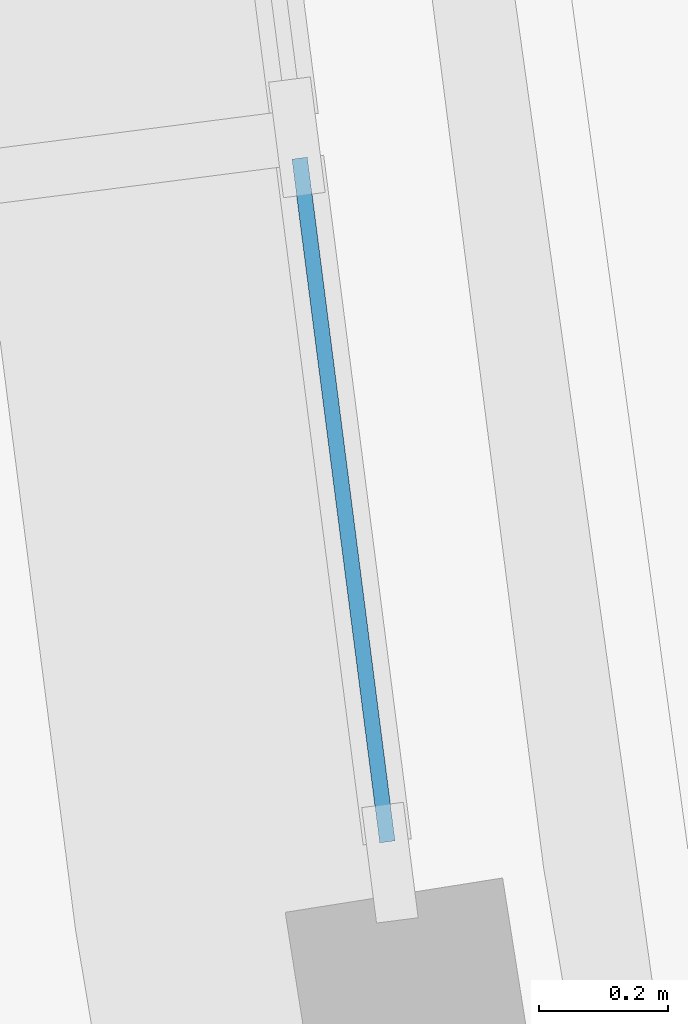
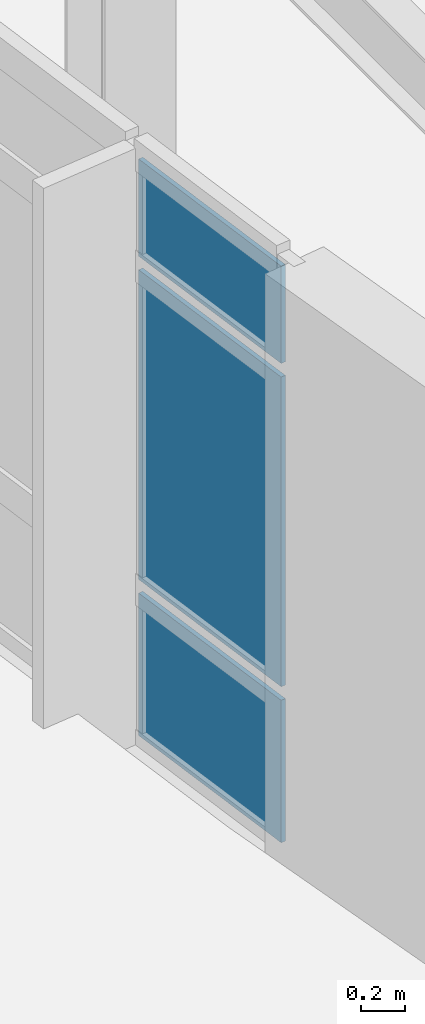
# One storey, part 17 of 30: 3 plates, 1 element without a shape of its own.
"""IFC4 building model written with IfcOpenShell, lengths in metres."""

from ifc_helpers import new_model, si_unit, direction, frame, origin, origin_2d, place, context, subcontext, project, spatial, rectangle, extrude, material, layer, layer_set, type_object, element, aggregate, save


model = new_model("IFC4")

# Units and contexts
model_context = context("Model", 3, precision=1e-05, world=origin(), true_north=direction((0.0, 1.0)))
body_context = subcontext(model_context, "Body", "Model", "MODEL_VIEW")
ifc_project = project(units=[si_unit("LENGTHUNIT", "METRE"), si_unit("AREAUNIT", "SQUARE_METRE"), si_unit("VOLUMEUNIT", "CUBIC_METRE"), si_unit("PLANEANGLEUNIT", "RADIAN"), si_unit("MASSUNIT", "GRAM", prefix="KILO")], contexts=[model_context])

# Site, building, storey
site_placement = place(None, origin())
site = spatial("IfcSite", under=ifc_project, at=site_placement, CompositionType="ELEMENT")
building_placement = place(site_placement, origin())
building = spatial("IfcBuilding", under=site, at=building_placement, Name="Corveleigh Park Community Centre", CompositionType="ELEMENT")
storey_placement = place(building_placement, frame((0.0, 0.0, 12.60009765625)))
storey = spatial("IfcBuildingStorey", under=building, at=storey_placement, Name="L03", CompositionType="ELEMENT", Elevation=12.60009765625)

# Curtain wall, plates
ifc_material_1 = material(Name="Anodised aluminium 6063-T6", Category="aluminium")
curtain_wall_type = type_object("IfcCurtainWallType", Name="CW-SYS-V4-L03", PredefinedType="NOTDEFINED", material=ifc_material_1)
curtain_wall_placement = place(storey_placement, origin())
curtain_wall = element("IfcCurtainWall", 1, at=curtain_wall_placement, inside=storey, type_object=curtain_wall_type, Name="V4 L03 Curtain Wall 434", PredefinedType="NOTDEFINED")
ifc_material_2 = material(Name="Low-E double glazing", Category="glass")
ifc_layer = layer(ifc_material_2, 0.02392578125, Name="Low-E double glazing", Category="glass")
ifc_layer_set = layer_set([ifc_layer], Name="Low-E double glazing")
plate_type = type_object("IfcPlateType", Name="CWP-GLZ-24", PredefinedType="CURTAIN_PANEL", material=ifc_layer_set)
plate_1_placement = place(storey_placement, frame((142.72802734375, 70.4208984375, 0.074951171875), z_axis=(0.0, 0.0, 1.0), x_axis=(-0.127261927639, 0.991869145489, 0.0)))
plate_1 = element("IfcPlate", 2, at=plate_1_placement, type_object=plate_type, Name="CW09 panel 1.1", PredefinedType="CURTAIN_PANEL", context=body_context, shape_type="SweptSolid", body=[
    extrude(rectangle(XDim=1.0654296875, YDim=0.02392578125, at=origin_2d()), origin(), (0.0, 0.0, 1.0), 0.78759765625),
])
plate_2_placement = place(storey_placement, frame((142.72802734375, 70.4208984375, 0.9375), z_axis=(0.0, 0.0, 1.0), x_axis=(-0.127261927639, 0.991869145489, 0.0)))
plate_2 = element("IfcPlate", 3, at=plate_2_placement, type_object=plate_type, Name="CW09 panel 1.2", PredefinedType="CURTAIN_PANEL", context=body_context, shape_type="SweptSolid", body=[
    extrude(rectangle(XDim=1.0654296875, YDim=0.02392578125, at=origin_2d()), origin(), (0.0, 0.0, 1.0), 1.7119140625),
])
plate_3_placement = place(storey_placement, frame((142.72802734375, 70.4208984375, 2.724365234375), z_axis=(0.0, 0.0, 1.0), x_axis=(-0.127261927639, 0.991869145489, 0.0)))
plate_3 = element("IfcPlate", 4, at=plate_3_placement, type_object=plate_type, Name="CW09 panel 1.3", PredefinedType="CURTAIN_PANEL", context=body_context, shape_type="SweptSolid", body=[
    extrude(rectangle(XDim=1.0654296875, YDim=0.02392578125, at=origin_2d()), origin(), (0.0, 0.0, 1.0), 0.53759765625),
])
aggregate(curtain_wall, [plate_1, plate_2, plate_3])

save(model, "model.ifc")
